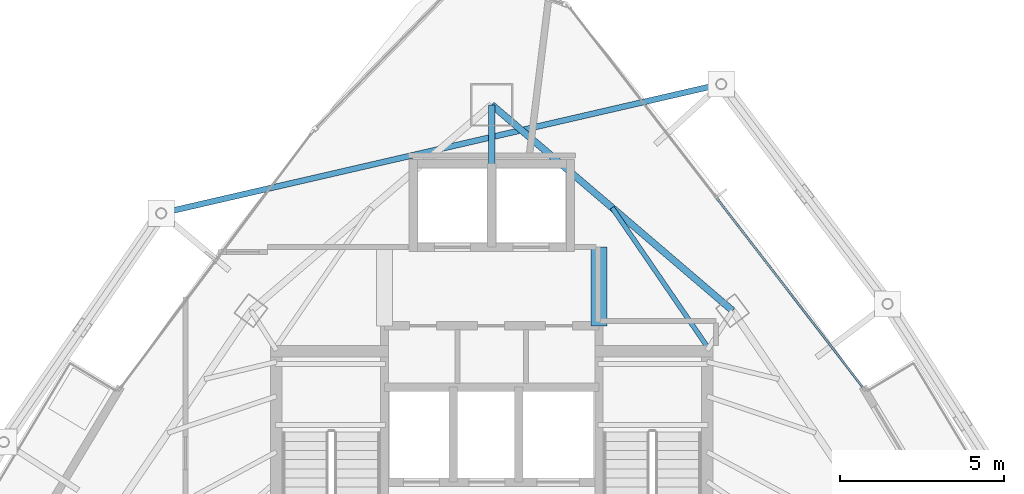
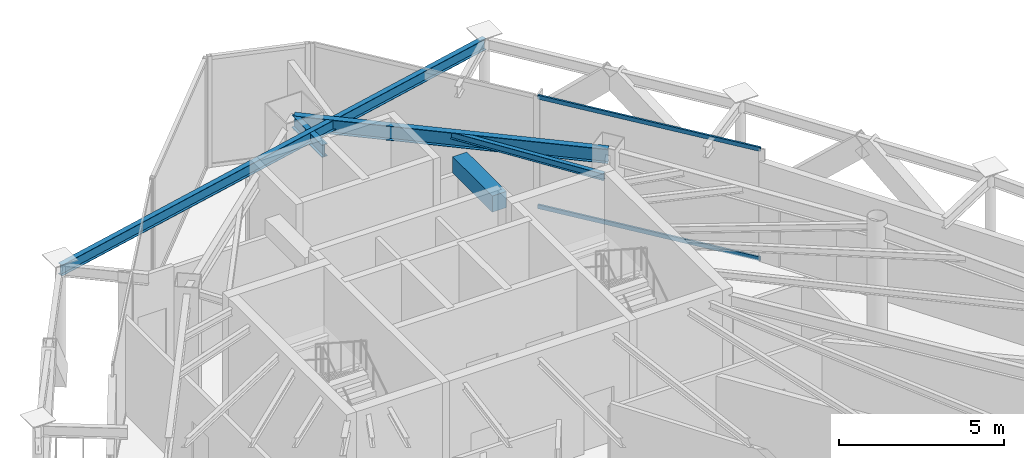
# One storey, part 17 of 25: 5 beams, 2 members, 1 element without a shape of its own.
"""IFC4 building model written with IfcOpenShell, lengths in metres."""

import ifcopenshell
import ifcopenshell.guid

model = None  # the IFC model being written
_history = None  # IfcOwnerHistory: only IFC2X3 demands one
_inside = {}  # id of a spatial element -> (the spatial element, [elements in it])
_under = {}  # id of a project, library or spatial element -> (it, [spatial elements below it])
_declared = {}  # id of a project -> (the project, [libraries it declares])
_typed = {}  # id of a type object -> (the type object, [elements of that type])
_made_of = {}  # id of a material, layer set ... -> (it, [elements and type objects made of it])


def new_model(schema):
    """Start an empty IFC model of exactly this schema.

    Asked for "IFC4X3", IfcOpenShell would pick the latest addendum, in which some entities
    have other attributes; the version numbers below select the first issue.
    IFC2X3 requires an IfcOwnerHistory on every rooted entity: one is made here for all.
    """
    global model, _history
    if schema == "IFC4X3":
        model = ifcopenshell.file(schema_version=(4, 3, 0, 0))
    else:
        model = ifcopenshell.file(schema=schema)
    _inside.clear()
    _under.clear()
    _declared.clear()
    _typed.clear()
    _made_of.clear()
    _history = None
    if model.schema == "IFC2X3":
        org = make("IfcOrganization", Name="unknown")
        user = make(
            "IfcPersonAndOrganization",
            ThePerson=make("IfcPerson", FamilyName="unknown"),
            TheOrganization=org,
        )
        app = make(
            "IfcApplication",
            ApplicationDeveloper=org,
            Version="unknown",
            ApplicationFullName="unknown",
            ApplicationIdentifier="unknown",
        )
        _history = make(
            "IfcOwnerHistory",
            OwningUser=user,
            OwningApplication=app,
            ChangeAction="ADDED",
            CreationDate=0,
        )
    return model


def make(cls, **values):
    """One entity of the class cls with the attributes given. An attribute that is None is left unset."""
    return model.create_entity(
        cls, **{name: value for name, value in values.items() if value is not None}
    )


def rooted(cls, **values):
    """An entity with a GlobalId (a new one), such as an element, a storey or a relation."""
    return make(cls, GlobalId=ifcopenshell.guid.new(), OwnerHistory=_history, **values)


def si_unit(unit_type, name, prefix=None):
    """IfcSIUnit, for example si_unit("LENGTHUNIT", "METRE", prefix="MILLI")."""
    return make("IfcSIUnit", UnitType=unit_type, Prefix=prefix, Name=name)


def assignment(units):
    """IfcUnitAssignment: the units of a project."""
    return None if units is None else make("IfcUnitAssignment", Units=units)


def point(xyz):
    """IfcCartesianPoint."""
    return None if xyz is None else make("IfcCartesianPoint", Coordinates=xyz)


def direction(xyz):
    """IfcDirection."""
    return None if xyz is None else make("IfcDirection", DirectionRatios=xyz)


def frame(location, z_axis=None, x_axis=None):
    """IfcAxis2Placement3D, a coordinate frame: its origin and axes. An axis left out is left unset."""
    return make(
        "IfcAxis2Placement3D",
        Location=point(location),
        Axis=direction(z_axis),
        RefDirection=direction(x_axis),
    )


def frame_2d(location, x_axis=None):
    """IfcAxis2Placement2D, a coordinate frame in the plane: its origin and x axis."""
    return make(
        "IfcAxis2Placement2D", Location=point(location), RefDirection=direction(x_axis)
    )


def origin():
    """The frame at (0, 0, 0) with its axes left unset."""
    return frame((0.0, 0.0, 0.0))


def origin_2d():
    """The frame at (0, 0) in the plane with its x axis left unset."""
    return frame_2d((0.0, 0.0))


def place(relative_to, where):
    """IfcLocalPlacement: puts the frame where relative to a parent placement (None: the world)."""
    return make(
        "IfcLocalPlacement", PlacementRelTo=relative_to, RelativePlacement=where
    )


def context(
    kind, dimensions, precision=None, world=None, true_north=None, identifier=None
):
    """IfcGeometricRepresentationContext, for example the 3D "Model" context."""
    return make(
        "IfcGeometricRepresentationContext",
        ContextIdentifier=identifier,
        ContextType=kind,
        CoordinateSpaceDimension=dimensions,
        Precision=precision,
        WorldCoordinateSystem=world,
        TrueNorth=true_north,
    )


def subcontext(parent, identifier, kind, view, scale=None):
    """IfcGeometricRepresentationSubContext, for example "Body" below "Model"."""
    return make(
        "IfcGeometricRepresentationSubContext",
        ContextIdentifier=identifier,
        ContextType=kind,
        ParentContext=parent,
        TargetScale=scale,
        TargetView=view,
    )


def project(units=None, contexts=None):
    """IfcProject with its units and contexts."""
    return rooted(
        "IfcProject",
        Name="project",
        RepresentationContexts=contexts,
        UnitsInContext=assignment(units),
    )


def spatial(cls, under=None, at=None, **own):
    """A site, building, storey or space (cls), placed at a placement, below another one or the project."""
    s = rooted(cls, ObjectPlacement=at, **own)
    if under is not None:
        _under.setdefault(under.id(), (under, []))[1].append(s)
    return s


def profile(cls, at=None, kind="AREA", **sizes):
    """A parametric profile (cls). Its sizes go by their IFC names, for example OverallWidth=200.0."""
    return make(cls, ProfileType=kind, Position=at, **sizes)


def rectangle(**sizes):
    """IfcRectangleProfileDef."""
    return profile("IfcRectangleProfileDef", **sizes)


def hollow_rectangle(**sizes):
    """IfcRectangleHollowProfileDef."""
    return profile("IfcRectangleHollowProfileDef", **sizes)


def i_section(**sizes):
    """IfcIShapeProfileDef."""
    return profile("IfcIShapeProfileDef", **sizes)


def extrude(swept, where, along, depth):
    """IfcExtrudedAreaSolid: the profile swept, set in the frame where, extruded along a direction by depth."""
    return make(
        "IfcExtrudedAreaSolid",
        SweptArea=swept,
        Position=where,
        ExtrudedDirection=direction(along),
        Depth=depth,
    )


def shape(context_of_items, identifier, shape_type, items):
    """IfcShapeRepresentation: the items that make up one representation, for example the "Body"."""
    return make(
        "IfcShapeRepresentation",
        ContextOfItems=context_of_items,
        RepresentationIdentifier=identifier,
        RepresentationType=shape_type,
        Items=items,
    )


def material(Name=None, Category=None):
    """IfcMaterial."""
    return make("IfcMaterial", Name=Name, Category=Category)


def layer(
    of_material, thickness, ventilated=None, Name=None, Category=None, Priority=None
):
    """IfcMaterialLayer: one layer of a wall or slab, of a material (None: an air gap)."""
    return make(
        "IfcMaterialLayer",
        Material=of_material,
        LayerThickness=thickness,
        IsVentilated=ventilated,
        Name=Name,
        Category=Category,
        Priority=Priority,
    )


def layer_set(layers, Name=None):
    """IfcMaterialLayerSet."""
    return make("IfcMaterialLayerSet", MaterialLayers=layers, LayerSetName=Name)


def material_profile(
    of_material, cross_section, Name=None, Category=None, Priority=None
):
    """IfcMaterialProfile: a cross section and its material."""
    return make(
        "IfcMaterialProfile",
        Name=Name,
        Material=of_material,
        Profile=cross_section,
        Priority=Priority,
        Category=Category,
    )


def profile_set(profiles, Name=None, composite=None):
    """IfcMaterialProfileSet."""
    return make(
        "IfcMaterialProfileSet",
        Name=Name,
        MaterialProfiles=profiles,
        CompositeProfile=composite,
    )


def made_of(thing, what):
    """Note that an element or type object is made of a material, layer set ...; save() writes the relation."""
    if what is not None:
        _made_of.setdefault(what.id(), (what, []))[1].append(thing)
    return thing


def type_object(cls, material=None, **own):
    """A type object (cls), such as IfcWallType, which elements share."""
    return made_of(rooted(cls, **own), material)


def element(
    cls,
    number,
    at=None,
    inside=None,
    cuts=None,
    type_object=None,
    material=None,
    context=None,
    identifier="Body",
    shape_type=None,
    held_by="IfcProductDefinitionShape",
    body=None,
    shapes=None,
    **own,
):
    """One element of the class cls, such as IfcWall. Its Tag is "e" and its number.

    at: its placement. inside: the storey or other place that contains it. cuts: it is an
    opening in that element (IfcRelVoidsElement). A single representation is given by context,
    identifier, shape_type and body (its items); several are given by shapes. held_by: the class
    of the entity that holds the representations. save() writes the other relations.
    """
    e = rooted(cls, Tag="e%d" % number, ObjectPlacement=at, **own)
    if body is not None:
        shapes = [shape(context, identifier, shape_type, body)]
    if shapes is not None:
        e.Representation = make(held_by, Representations=shapes)
    if inside is not None:
        _inside.setdefault(inside.id(), (inside, []))[1].append(e)
    if cuts is not None:
        rooted(
            "IfcRelVoidsElement", RelatingBuildingElement=cuts, RelatedOpeningElement=e
        )
    if type_object is not None:
        _typed.setdefault(type_object.id(), (type_object, []))[1].append(e)
    return made_of(e, material)


def aggregate(whole, parts):
    """IfcRelAggregates: a whole, such as a stair, and the parts it consists of."""
    return rooted("IfcRelAggregates", RelatingObject=whole, RelatedObjects=parts)


def save(model, path):
    """Write the relations noted so far, then the file.

    IfcRelAggregates (storeys below a building ...), IfcRelContainedInSpatialStructure (elements
    in a storey), IfcRelDefinesByType, IfcRelAssociatesMaterial and IfcRelDeclares: one each for
    every whole, place, type object, material and project.
    """
    for whole, parts in _under.values():
        aggregate(whole, parts)
    for where, things in _inside.values():
        rooted(
            "IfcRelContainedInSpatialStructure",
            RelatedElements=things,
            RelatingStructure=where,
        )
    for kind, things in _typed.values():
        rooted("IfcRelDefinesByType", RelatedObjects=things, RelatingType=kind)
    for what, things in _made_of.values():
        rooted("IfcRelAssociatesMaterial", RelatedObjects=things, RelatingMaterial=what)
    for by, libraries in _declared.values():
        rooted("IfcRelDeclares", RelatingContext=by, RelatedDefinitions=libraries)
    model.write(path)


model = new_model("IFC4")

# Units and contexts
model_context = context("Model", 3, precision=1e-05, world=origin(), true_north=direction((0.0, 1.0)))
body_context = subcontext(model_context, "Body", "Model", "MODEL_VIEW")
ifc_project = project(units=[si_unit("LENGTHUNIT", "METRE"), si_unit("AREAUNIT", "SQUARE_METRE"), si_unit("VOLUMEUNIT", "CUBIC_METRE"), si_unit("PLANEANGLEUNIT", "RADIAN"), si_unit("MASSUNIT", "GRAM", prefix="KILO")], contexts=[model_context])

# Site, building, storey
site_placement = place(None, origin())
site = spatial("IfcSite", under=ifc_project, at=site_placement, CompositionType="ELEMENT")
building_placement = place(site_placement, origin())
building = spatial("IfcBuilding", under=site, at=building_placement, Name="Orvanel Arch Residences", CompositionType="ELEMENT")
storey_placement = place(building_placement, frame((0.0, 0.0, 236.0)))
storey = spatial("IfcBuildingStorey", under=building, at=storey_placement, Name="L67", CompositionType="ELEMENT", Elevation=236.0)

# Beams
ifc_material_1 = material(Name="Structural steel AS/NZS 3679.1 Grade 300 (300 MPa)", Category="steel")
ifc_material_profile_1 = material_profile(ifc_material_1, i_section(OverallWidth=0.19091796875, OverallDepth=0.4599609375, WebThickness=0.010009765625, FlangeThickness=0.01611328125, at=origin_2d()), Name="460UB82.1")
ifc_profile_set_1 = profile_set([ifc_material_profile_1], Name="Structural steel AS/NZS 3679.1 Grade 300 (300 MPa)")
beam_type_1 = type_object("IfcBeamType", Name="BG-460UB", PredefinedType="BEAM", material=ifc_profile_set_1)
beam_1_placement = place(storey_placement, frame((33.0, 39.550048828125, 3.8798828125), z_axis=(0.0, 1.0, 0.0), x_axis=(-1.0, 0.0, 0.0)))
element("IfcBeam", 1, at=beam_1_placement, inside=storey, type_object=beam_type_1, Name="L67 North Radial Girder", PredefinedType="BEAM", context=body_context, shape_type="SweptSolid", body=[
    extrude(i_section(OverallWidth=0.19091796875, OverallDepth=0.4599609375, WebThickness=0.010009765625, FlangeThickness=0.01611328125, at=origin_2d()), origin(), (0.0, 0.0, 1.0), 1.847900390625),
])
ifc_material_profile_2 = material_profile(ifc_material_1, i_section(OverallWidth=0.14599609375, OverallDepth=0.251953125, WebThickness=0.006103515625, FlangeThickness=0.008544921875, at=origin_2d()), Name="250UB31.4")
ifc_profile_set_2 = profile_set([ifc_material_profile_2], Name="Structural steel AS/NZS 3679.1 Grade 300 (300 MPa)")
beam_type_2 = type_object("IfcBeamType", Name="BJ-250UB", PredefinedType="JOIST", material=ifc_profile_set_2)
beam_2_placement = place(storey_placement, frame((39.574951171875, 34.02001953125, 3.98388671875), z_axis=(-0.564868085352, 0.825181220188, 0.0), x_axis=(-0.825181220188, -0.564868085352, 0.0)))
element("IfcBeam", 2, at=beam_2_placement, inside=storey, type_object=beam_type_2, Name="L67 NNE2 Wing Floor Joist", PredefinedType="JOIST", context=body_context, shape_type="SweptSolid", body=[
    extrude(i_section(OverallWidth=0.14599609375, OverallDepth=0.251953125, WebThickness=0.006103515625, FlangeThickness=0.008544921875, at=origin_2d()), origin(), (0.0, 0.0, 1.0), 5.132080078125),
])
ifc_material_2 = material(Name="Concrete S65 (65 MPa)", Category="concrete")
ifc_material_profile_3 = material_profile(ifc_material_2, rectangle(XDim=0.5, YDim=0.60009765625, at=origin_2d()), Name="RC500x600")
ifc_profile_set_3 = profile_set([ifc_material_profile_3], Name="Concrete S65 (65 MPa)")
beam_type_3 = type_object("IfcBeamType", Name="CB-500x600", PredefinedType="LINTEL", material=ifc_profile_set_3)
beam_3_placement = place(storey_placement, frame((36.27490234375, 34.64990234375, 3.81005859375), z_axis=(0.0, 1.0, 0.0), x_axis=(-1.0, 0.0, 0.0)))
element("IfcBeam", 3, at=beam_3_placement, inside=storey, type_object=beam_type_3, Name="L67 East Core Lobby Coupling Lintel Beam", PredefinedType="LINTEL", context=body_context, shape_type="SweptSolid", body=[
    extrude(rectangle(XDim=0.5, YDim=0.60009765625, at=origin_2d()), origin(), (0.0, 0.0, 1.0), 2.400146484375),
])
ifc_material_profile_4 = material_profile(ifc_material_1, i_section(OverallWidth=0.177978515625, OverallDepth=0.406005859375, WebThickness=0.0078125, FlangeThickness=0.0126953125, at=origin_2d()), Name="410UB59.7")
ifc_profile_set_4 = profile_set([ifc_material_profile_4], Name="Structural steel AS/NZS 3679.1 Grade 300 (300 MPa)")
beam_type_4 = type_object("IfcBeamType", Name="OB-410UB-EXT", PredefinedType="SPANDREL", material=ifc_profile_set_4)
beam_4_placement = place(storey_placement, frame((40.007080078125, 42.029052734375, 3.906982421875), z_axis=(-0.974429400741, -0.224693887259, 0.0), x_axis=(0.224693887259, -0.974429400741, 0.0)))
element("IfcBeam", 4, at=beam_4_placement, inside=storey, type_object=beam_type_4, Name="L67 Outer Perimeter Floor Ring Beam 12", PredefinedType="SPANDREL", context=body_context, shape_type="SweptSolid", body=[
    extrude(i_section(OverallWidth=0.177978515625, OverallDepth=0.406005859375, WebThickness=0.0078125, FlangeThickness=0.0126953125, at=origin_2d()), origin(), (0.0, 0.0, 1.0), 17.548828125),
])
ifc_material_profile_5 = material_profile(ifc_material_1, i_section(OverallWidth=0.208984375, OverallDepth=0.532958984375, WebThickness=0.01025390625, FlangeThickness=0.015625, at=origin_2d()), Name="530UB92.4")
ifc_profile_set_5 = profile_set([ifc_material_profile_5], Name="Structural steel AS/NZS 3679.1 Grade 300 (300 MPa)")
beam_type_5 = type_object("IfcBeamType", Name="SP-530UB", PredefinedType="SPANDREL", material=ifc_profile_set_5)
beam_5_placement = place(storey_placement, frame((40.35205078125, 35.113037109375, 3.843994140625), z_axis=(-0.760116518398, 0.649786794617, 0.0), x_axis=(-0.649786794617, -0.760116518398, 0.0)))
element("IfcBeam", 5, at=beam_5_placement, inside=storey, type_object=beam_type_5, Name="L67 Perimeter Spandrel Beam 09", PredefinedType="SPANDREL", context=body_context, shape_type="SweptSolid", body=[
    extrude(i_section(OverallWidth=0.208984375, OverallDepth=0.532958984375, WebThickness=0.01025390625, FlangeThickness=0.015625, at=origin_2d()), origin(), (0.0, 0.0, 1.0), 9.67236328125),
])

# Curtain wall, members
ifc_material_3 = material(Name="Bronze-anodised aluminium AA6063-T6", Category="aluminium")
ifc_layer = layer(ifc_material_3, 0.195068359375)
ifc_layer_set = layer_set([ifc_layer], Name="Bronze-anodised aluminium AA6063-T6")
curtain_wall_type = type_object("IfcCurtainWallType", Name="CW6-COM-SYS", PredefinedType="NOTDEFINED", material=ifc_layer_set)
curtain_wall_placement = place(storey_placement, origin())
curtain_wall = element("IfcCurtainWall", 6, at=curtain_wall_placement, inside=storey, type_object=curtain_wall_type, Name="L67 CW6-COM-SYS Unitised Curtain Wall", PredefinedType="NOTDEFINED")
ifc_material_profile_6 = material_profile(ifc_material_3, hollow_rectangle(XDim=0.06494140625, YDim=0.14990234375, WallThickness=0.00390625, at=origin_2d()), Name="ALU150x65x4")
ifc_profile_set_6 = profile_set([ifc_material_profile_6], Name="Bronze-anodised aluminium AA6063-T6")
member_type = type_object("IfcMemberType", Name="TRN-150x65", PredefinedType="USERDEFINED", material=ifc_profile_set_6)
member_1_placement = place(storey_placement, frame((44.3232421875, 32.7783203125, 0.032470703125), z_axis=(-0.610976988763, 0.791648355776, 0.0), x_axis=(-0.791648355776, -0.610976988763, 0.0)))
member_1 = element("IfcMember", 7, at=member_1_placement, type_object=member_type, Name="CW-S6 transom 1.1", ObjectType="TRANSOM", PredefinedType="USERDEFINED", context=body_context, shape_type="SweptSolid", body=[
    extrude(hollow_rectangle(XDim=0.06494140625, YDim=0.14990234375, WallThickness=0.00390625, at=origin_2d()), origin(), (0.0, 0.0, 1.0), 7.2822265625),
])
member_2_placement = place(storey_placement, frame((44.3232421875, 32.7783203125, 4.077392578125), z_axis=(-0.610976988763, 0.791648355776, 0.0), x_axis=(-0.791648355776, -0.610976988763, 0.0)))
member_2 = element("IfcMember", 8, at=member_2_placement, type_object=member_type, Name="CW-S6 transom 1.2", ObjectType="TRANSOM", PredefinedType="USERDEFINED", context=body_context, shape_type="SweptSolid", body=[
    extrude(hollow_rectangle(XDim=0.06494140625, YDim=0.14990234375, WallThickness=0.00390625, at=origin_2d()), origin(), (0.0, 0.0, 1.0), 7.2822265625),
])
aggregate(curtain_wall, [member_1, member_2])

save(model, "model.ifc")
